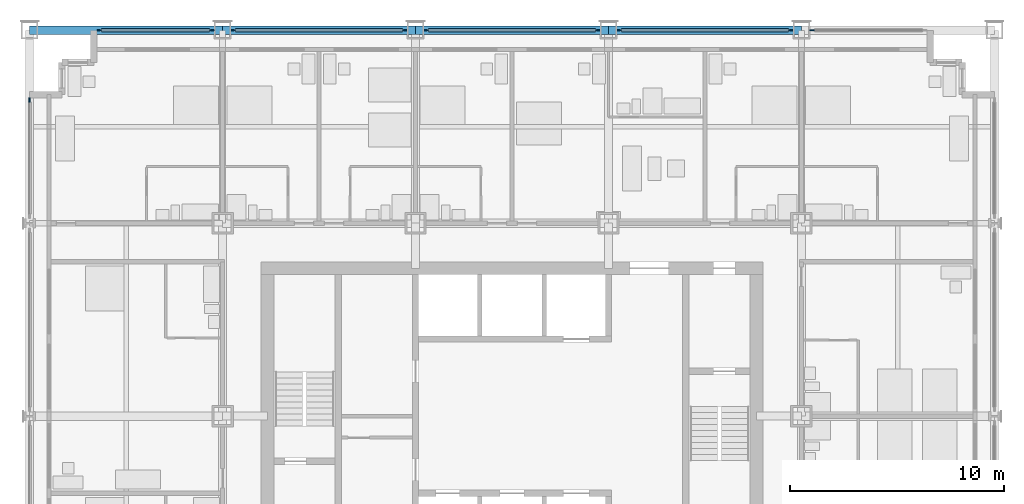
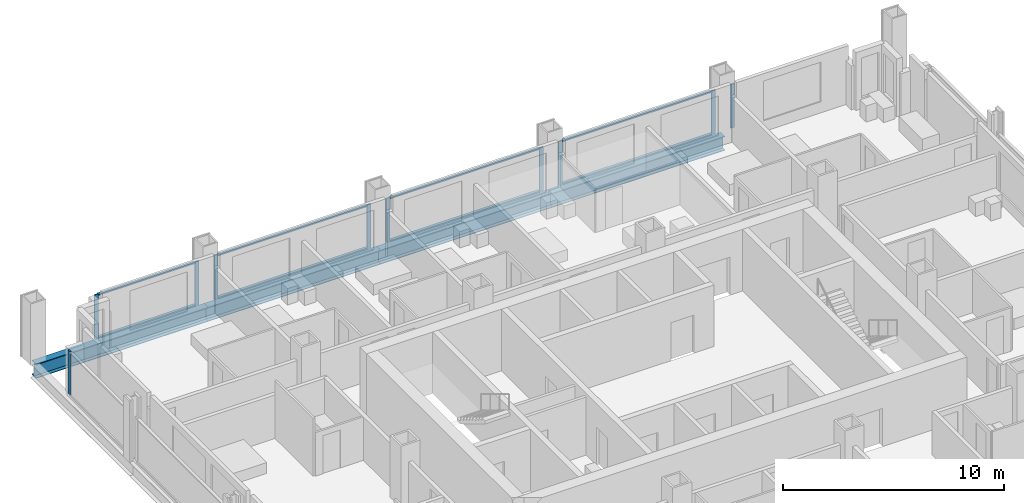
# One storey, part 6 of 16: 18 members, 4 beams, 6 elements without a shape of their own.
"""IFC4 building model written with IfcOpenShell, lengths in metres."""

from ifc_helpers import new_model, si_unit, direction, frame, origin, origin_2d, place, context, subcontext, project, spatial, rectangle, i_section, extrude, material, material_profile, profile_set, type_object, element, aggregate, save


model = new_model("IFC4")

# Units and contexts
model_context = context("Model", 3, precision=1e-05, world=origin(), true_north=direction((0.0, 1.0)))
body_context = subcontext(model_context, "Body", "Model", "MODEL_VIEW")
ifc_project = project(units=[si_unit("LENGTHUNIT", "METRE"), si_unit("AREAUNIT", "SQUARE_METRE"), si_unit("VOLUMEUNIT", "CUBIC_METRE"), si_unit("PLANEANGLEUNIT", "RADIAN"), si_unit("MASSUNIT", "GRAM", prefix="KILO")], contexts=[model_context])

# Site, building, storey
site_placement = place(None, origin())
site = spatial("IfcSite", under=ifc_project, at=site_placement, CompositionType="ELEMENT")
building_placement = place(site_placement, origin())
building = spatial("IfcBuilding", under=site, at=building_placement, Name="Loomwork Tower", CompositionType="ELEMENT")
storey_placement = place(building_placement, frame((0.0, 0.0, 97.60009765625)))
storey = spatial("IfcBuildingStorey", under=building, at=storey_placement, Name="L25", CompositionType="ELEMENT", Elevation=97.60009765625)

# Curtain wall, members
ifc_material_1 = material(Name="Aluminium curtain wall frame", Category="aluminium")
curtain_wall_type = type_object("IfcCurtainWallType", Name="Outer skin glazing hotel", PredefinedType="NOTDEFINED", material=ifc_material_1)
curtain_wall_1_placement = place(storey_placement, origin())
curtain_wall_1 = element("IfcCurtainWall", 1, at=curtain_wall_1_placement, inside=storey, type_object=curtain_wall_type, Name="Outer skin glazing hotel cw/N-0", PredefinedType="NOTDEFINED")
ifc_material_2 = material(Name="Aluminium curtain wall frame", Category="aluminium")
ifc_material_profile_1 = material_profile(ifc_material_2, rectangle(XDim=0.06494140625, YDim=0.199951171875, at=origin_2d()), Name="AL 65x200")
ifc_profile_set_1 = profile_set([ifc_material_profile_1], Name="Aluminium curtain wall frame")
member_type_1 = type_object("IfcMemberType", Name="Outer skin glazing hotel mullion", PredefinedType="MULLION", material=ifc_profile_set_1)
member_1_placement = place(storey_placement, frame((8.5, 36.0, 0.0), z_axis=(0.0, 0.0, 1.0), x_axis=(0.0, -1.0, 0.0)))
member_1 = element("IfcMember", 2, at=member_1_placement, type_object=member_type_1, Name="CW1 mullion 1", PredefinedType="MULLION", context=body_context, shape_type="SweptSolid", body=[
    extrude(rectangle(XDim=0.06494140625, YDim=0.199951171875, at=origin_2d()), origin(), (0.0, 0.0, 1.0), 2.420166015625),
])
member_2_placement = place(storey_placement, frame((3.25, 36.0, 0.0), z_axis=(0.0, 0.0, 1.0), x_axis=(0.0, -1.0, 0.0)))
member_2 = element("IfcMember", 3, at=member_2_placement, type_object=member_type_1, Name="CW1 mullion 2", PredefinedType="MULLION", context=body_context, shape_type="SweptSolid", body=[
    extrude(rectangle(XDim=0.06494140625, YDim=0.199951171875, at=origin_2d()), origin(), (0.0, 0.0, 1.0), 2.420166015625),
])

curtain_wall_2_placement = place(storey_placement, origin())
curtain_wall_2 = element("IfcCurtainWall", 4, at=curtain_wall_2_placement, inside=storey, type_object=curtain_wall_type, Name="Outer skin glazing hotel cw/N-9", PredefinedType="NOTDEFINED")
member_3_placement = place(storey_placement, frame((17.5, 36.0, 0.0), z_axis=(0.0, 0.0, 1.0), x_axis=(0.0, -1.0, 0.0)))
member_3 = element("IfcMember", 5, at=member_3_placement, type_object=member_type_1, Name="CW1 mullion 1", PredefinedType="MULLION", context=body_context, shape_type="SweptSolid", body=[
    extrude(rectangle(XDim=0.06494140625, YDim=0.199951171875, at=origin_2d()), origin(), (0.0, 0.0, 1.0), 2.420166015625),
])
member_4_placement = place(storey_placement, frame((9.5, 36.0, 0.0), z_axis=(0.0, 0.0, 1.0), x_axis=(0.0, -1.0, 0.0)))
member_4 = element("IfcMember", 6, at=member_4_placement, type_object=member_type_1, Name="CW1 mullion 2", PredefinedType="MULLION", context=body_context, shape_type="SweptSolid", body=[
    extrude(rectangle(XDim=0.06494140625, YDim=0.199951171875, at=origin_2d()), origin(), (0.0, 0.0, 1.0), 2.420166015625),
])

curtain_wall_3_placement = place(storey_placement, origin())
curtain_wall_3 = element("IfcCurtainWall", 7, at=curtain_wall_3_placement, inside=storey, type_object=curtain_wall_type, Name="Outer skin glazing hotel cw/N-18", PredefinedType="NOTDEFINED")
member_5_placement = place(storey_placement, frame((26.5, 36.0, 0.0), z_axis=(0.0, 0.0, 1.0), x_axis=(0.0, -1.0, 0.0)))
member_5 = element("IfcMember", 8, at=member_5_placement, type_object=member_type_1, Name="CW1 mullion 1", PredefinedType="MULLION", context=body_context, shape_type="SweptSolid", body=[
    extrude(rectangle(XDim=0.06494140625, YDim=0.199951171875, at=origin_2d()), origin(), (0.0, 0.0, 1.0), 2.420166015625),
])
member_6_placement = place(storey_placement, frame((18.5, 36.0, 0.0), z_axis=(0.0, 0.0, 1.0), x_axis=(0.0, -1.0, 0.0)))
member_6 = element("IfcMember", 9, at=member_6_placement, type_object=member_type_1, Name="CW1 mullion 2", PredefinedType="MULLION", context=body_context, shape_type="SweptSolid", body=[
    extrude(rectangle(XDim=0.06494140625, YDim=0.199951171875, at=origin_2d()), origin(), (0.0, 0.0, 1.0), 2.420166015625),
])

curtain_wall_4_placement = place(storey_placement, origin())
curtain_wall_4 = element("IfcCurtainWall", 10, at=curtain_wall_4_placement, inside=storey, type_object=curtain_wall_type, Name="Outer skin glazing hotel cw/N-27", PredefinedType="NOTDEFINED")
member_7_placement = place(storey_placement, frame((35.5, 36.0, 0.0), z_axis=(0.0, 0.0, 1.0), x_axis=(0.0, -1.0, 0.0)))
member_7 = element("IfcMember", 11, at=member_7_placement, type_object=member_type_1, Name="CW1 mullion 1", PredefinedType="MULLION", context=body_context, shape_type="SweptSolid", body=[
    extrude(rectangle(XDim=0.06494140625, YDim=0.199951171875, at=origin_2d()), origin(), (0.0, 0.0, 1.0), 2.420166015625),
])
member_8_placement = place(storey_placement, frame((27.5, 36.0, 0.0), z_axis=(0.0, 0.0, 1.0), x_axis=(0.0, -1.0, 0.0)))
member_8 = element("IfcMember", 12, at=member_8_placement, type_object=member_type_1, Name="CW1 mullion 2", PredefinedType="MULLION", context=body_context, shape_type="SweptSolid", body=[
    extrude(rectangle(XDim=0.06494140625, YDim=0.199951171875, at=origin_2d()), origin(), (0.0, 0.0, 1.0), 2.420166015625),
])

# Curtain wall, member
curtain_wall_5_placement = place(storey_placement, origin())
curtain_wall_5 = element("IfcCurtainWall", 13, at=curtain_wall_5_placement, inside=storey, type_object=curtain_wall_type, Name="Outer skin glazing hotel cw/N-36", PredefinedType="NOTDEFINED")
member_9_placement = place(storey_placement, frame((36.5, 36.0, 0.0), z_axis=(0.0, 0.0, 1.0), x_axis=(0.0, -1.0, 0.0)))
member_9 = element("IfcMember", 14, at=member_9_placement, type_object=member_type_1, Name="CW1 mullion 2", PredefinedType="MULLION", context=body_context, shape_type="SweptSolid", body=[
    extrude(rectangle(XDim=0.06494140625, YDim=0.199951171875, at=origin_2d()), origin(), (0.0, 0.0, 1.0), 2.420166015625),
])
aggregate(curtain_wall_5, [member_9])

curtain_wall_6_placement = place(storey_placement, origin())
curtain_wall_6 = element("IfcCurtainWall", 15, at=curtain_wall_6_placement, inside=storey, type_object=curtain_wall_type, Name="Outer skin glazing hotel cw/W-27", PredefinedType="NOTDEFINED")
member_10_placement = place(storey_placement, frame((0.0, 32.75, 0.0), z_axis=(0.0, 0.0, 1.0), x_axis=(1.0, 0.0, 0.0)))
member_10 = element("IfcMember", 16, at=member_10_placement, type_object=member_type_1, Name="CW1 mullion 1", PredefinedType="MULLION", context=body_context, shape_type="SweptSolid", body=[
    extrude(rectangle(XDim=0.06494140625, YDim=0.199951171875, at=origin_2d()), origin(), (0.0, 0.0, 1.0), 2.420166015625),
])
aggregate(curtain_wall_6, [member_10])

# Member
ifc_material_3 = material(Name="Aluminium curtain wall frame", Category="aluminium")
ifc_material_profile_2 = material_profile(ifc_material_3, rectangle(XDim=0.14990234375, YDim=0.06494140625, at=origin_2d()), Name="AL 65x150")
ifc_profile_set_2 = profile_set([ifc_material_profile_2], Name="Aluminium curtain wall frame")
member_type_2 = type_object("IfcMemberType", Name="Outer skin glazing hotel transom", PredefinedType="USERDEFINED", material=ifc_profile_set_2)
member_11_placement = place(storey_placement, frame((8.39990234375, 36.0, 0.032470703125), z_axis=(-1.0, 0.0, 0.0), x_axis=(0.0, -1.0, 0.0)))
member_11 = element("IfcMember", 17, at=member_11_placement, type_object=member_type_2, Name="CW1 transom 1.1", ObjectType="TRANSOM", PredefinedType="USERDEFINED", context=body_context, shape_type="SweptSolid", body=[
    extrude(rectangle(XDim=0.14990234375, YDim=0.06494140625, at=origin_2d()), origin(), (0.0, 0.0, 1.0), 5.0498046875),
])

member_12_placement = place(storey_placement, frame((8.39990234375, 36.0, 2.3876953125), z_axis=(-1.0, 0.0, 0.0), x_axis=(0.0, -1.0, 0.0)))
member_12 = element("IfcMember", 18, at=member_12_placement, type_object=member_type_2, Name="CW1 transom 1.2", ObjectType="TRANSOM", PredefinedType="USERDEFINED", context=body_context, shape_type="SweptSolid", body=[
    extrude(rectangle(XDim=0.14990234375, YDim=0.06494140625, at=origin_2d()), origin(), (0.0, 0.0, 1.0), 5.0498046875),
])

aggregate(curtain_wall_1, [member_1, member_2, member_11, member_12])

member_13_placement = place(storey_placement, frame((17.39990234375, 36.0, 0.032470703125), z_axis=(-1.0, 0.0, 0.0), x_axis=(0.0, -1.0, 0.0)))
member_13 = element("IfcMember", 19, at=member_13_placement, type_object=member_type_2, Name="CW1 transom 1.1", ObjectType="TRANSOM", PredefinedType="USERDEFINED", context=body_context, shape_type="SweptSolid", body=[
    extrude(rectangle(XDim=0.14990234375, YDim=0.06494140625, at=origin_2d()), origin(), (0.0, 0.0, 1.0), 7.7998046875),
])

member_14_placement = place(storey_placement, frame((17.39990234375, 36.0, 2.3876953125), z_axis=(-1.0, 0.0, 0.0), x_axis=(0.0, -1.0, 0.0)))
member_14 = element("IfcMember", 20, at=member_14_placement, type_object=member_type_2, Name="CW1 transom 1.2", ObjectType="TRANSOM", PredefinedType="USERDEFINED", context=body_context, shape_type="SweptSolid", body=[
    extrude(rectangle(XDim=0.14990234375, YDim=0.06494140625, at=origin_2d()), origin(), (0.0, 0.0, 1.0), 7.7998046875),
])

aggregate(curtain_wall_2, [member_3, member_4, member_13, member_14])

member_15_placement = place(storey_placement, frame((26.39990234375, 36.0, 0.032470703125), z_axis=(-1.0, 0.0, 0.0), x_axis=(0.0, -1.0, 0.0)))
member_15 = element("IfcMember", 21, at=member_15_placement, type_object=member_type_2, Name="CW1 transom 1.1", ObjectType="TRANSOM", PredefinedType="USERDEFINED", context=body_context, shape_type="SweptSolid", body=[
    extrude(rectangle(XDim=0.14990234375, YDim=0.06494140625, at=origin_2d()), origin(), (0.0, 0.0, 1.0), 7.7998046875),
])

member_16_placement = place(storey_placement, frame((26.39990234375, 36.0, 2.3876953125), z_axis=(-1.0, 0.0, 0.0), x_axis=(0.0, -1.0, 0.0)))
member_16 = element("IfcMember", 22, at=member_16_placement, type_object=member_type_2, Name="CW1 transom 1.2", ObjectType="TRANSOM", PredefinedType="USERDEFINED", context=body_context, shape_type="SweptSolid", body=[
    extrude(rectangle(XDim=0.14990234375, YDim=0.06494140625, at=origin_2d()), origin(), (0.0, 0.0, 1.0), 7.7998046875),
])

aggregate(curtain_wall_3, [member_5, member_6, member_15, member_16])

member_17_placement = place(storey_placement, frame((35.39990234375, 36.0, 0.032470703125), z_axis=(-1.0, 0.0, 0.0), x_axis=(0.0, -1.0, 0.0)))
member_17 = element("IfcMember", 23, at=member_17_placement, type_object=member_type_2, Name="CW1 transom 1.1", ObjectType="TRANSOM", PredefinedType="USERDEFINED", context=body_context, shape_type="SweptSolid", body=[
    extrude(rectangle(XDim=0.14990234375, YDim=0.06494140625, at=origin_2d()), origin(), (0.0, 0.0, 1.0), 7.7998046875),
])

member_18_placement = place(storey_placement, frame((35.39990234375, 36.0, 2.3876953125), z_axis=(-1.0, 0.0, 0.0), x_axis=(0.0, -1.0, 0.0)))
member_18 = element("IfcMember", 24, at=member_18_placement, type_object=member_type_2, Name="CW1 transom 1.2", ObjectType="TRANSOM", PredefinedType="USERDEFINED", context=body_context, shape_type="SweptSolid", body=[
    extrude(rectangle(XDim=0.14990234375, YDim=0.06494140625, at=origin_2d()), origin(), (0.0, 0.0, 1.0), 7.7998046875),
])

aggregate(curtain_wall_4, [member_7, member_8, member_17, member_18])

# Beams
ifc_material_4 = material(Name="Steel ASTM A992", Category="steel")
ifc_material_profile_3 = material_profile(ifc_material_4, i_section(OverallWidth=0.381103515625, OverallDepth=0.77978515625, WebThickness=0.01806640625, FlangeThickness=0.0302734375, at=origin_2d()), Name="W30x191")
ifc_profile_set_3 = profile_set([ifc_material_profile_3], Name="Steel ASTM A992")
beam_type = type_object("IfcBeamType", Name="SPANDREL GIRDER W30x191", PredefinedType="SPANDREL", material=ifc_profile_set_3)
for number, where, z_axis, x_axis, name in (
    (25, (0.0, 36.0, -0.590087890625), (1.0, 0.0, 0.0), (0.0, 1.0, 0.0), "Spandrel Girder H/2-H/3 L25"),
    (26, (9.0, 36.0, -0.590087890625), (1.0, 0.0, 0.0), (0.0, 1.0, 0.0), "Spandrel Girder H/3-H/4 L25"),
    (27, (18.0, 36.0, -0.590087890625), (1.0, 0.0, 0.0), (0.0, 1.0, 0.0), "Spandrel Girder H/4-H/5 L25"),
    (28, (27.0, 36.0, -0.590087890625), (1.0, 0.0, 0.0), (0.0, 1.0, 0.0), "Spandrel Girder H/5-H/6 L25"),
):
    element("IfcBeam", number, at=place(storey_placement, frame(where, z_axis=z_axis, x_axis=x_axis)), inside=storey, type_object=beam_type, Name=name, PredefinedType="SPANDREL", context=body_context, shape_type="SweptSolid", body=[
        extrude(i_section(OverallWidth=0.381103515625, OverallDepth=0.77978515625, WebThickness=0.01806640625, FlangeThickness=0.0302734375, at=origin_2d()), origin(), (0.0, 0.0, 1.0), 9.0),
    ])

save(model, "model.ifc")
